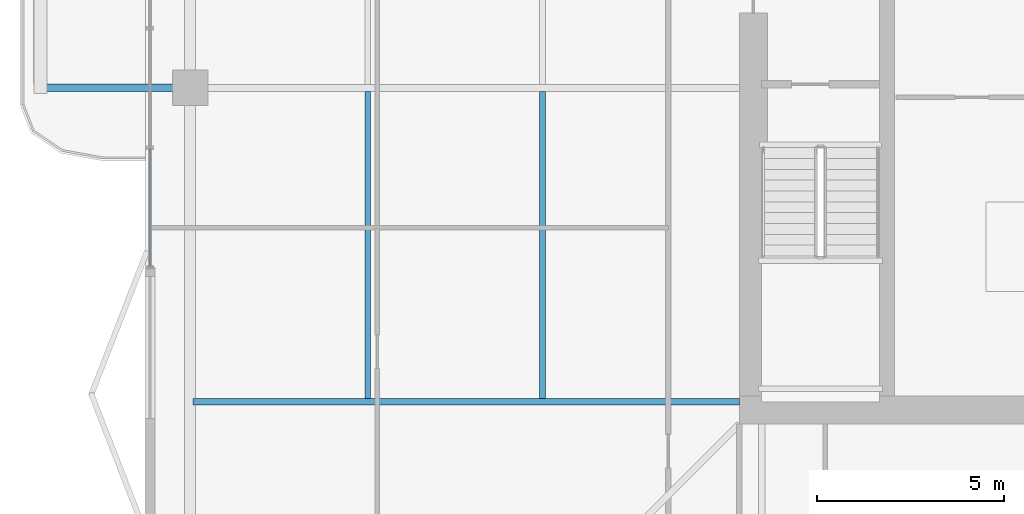
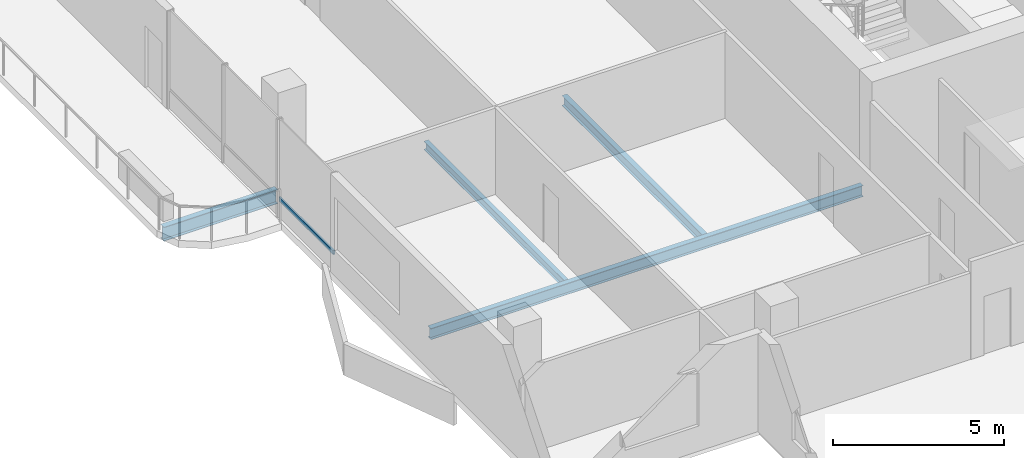
# One storey, part 5 of 25: 4 beams, 1 member, 1 element without a shape of its own.
"""IFC4 building model written with IfcOpenShell, lengths in metres."""

from ifc_helpers import new_model, si_unit, direction, frame, origin, origin_2d, place, context, subcontext, project, spatial, hollow_rectangle, i_section, extrude, material, layer, layer_set, material_profile, profile_set, type_object, element, aggregate, save


model = new_model("IFC4")

# Units and contexts
model_context = context("Model", 3, precision=1e-05, world=origin(), true_north=direction((0.0, 1.0)))
body_context = subcontext(model_context, "Body", "Model", "MODEL_VIEW")
ifc_project = project(units=[si_unit("LENGTHUNIT", "METRE"), si_unit("AREAUNIT", "SQUARE_METRE"), si_unit("VOLUMEUNIT", "CUBIC_METRE"), si_unit("PLANEANGLEUNIT", "RADIAN"), si_unit("MASSUNIT", "GRAM", prefix="KILO")], contexts=[model_context])

# Site, building, storey
site_placement = place(None, origin())
site = spatial("IfcSite", under=ifc_project, at=site_placement, CompositionType="ELEMENT")
building_placement = place(site_placement, origin())
building = spatial("IfcBuilding", under=site, at=building_placement, Name="Belovzor Exchange Tower", CompositionType="ELEMENT")
storey_placement = place(building_placement, frame((0.0, 0.0, 254.10009765625)))
storey = spatial("IfcBuildingStorey", under=building, at=storey_placement, Name="L63", CompositionType="ELEMENT", Elevation=254.10009765625)

# Beams
ifc_material_1 = material(Name="Steel S355", Category="steel")
ifc_material_profile_1 = material_profile(ifc_material_1, i_section(OverallWidth=0.199951171875, OverallDepth=0.5, WebThickness=0.01025390625, FlangeThickness=0.01611328125, at=origin_2d()))
ifc_profile_set_1 = profile_set([ifc_material_profile_1], Name="Steel S355")
beam_type_1 = type_object("IfcBeamType", Name="Planted Balcony Cantilever Beam IPE 500", PredefinedType="BEAM", material=ifc_profile_set_1)
beam_1_placement = place(storey_placement, frame((4.839111328125, 28.800048828125, -0.5), z_axis=(-1.0, 0.0, 0.0), x_axis=(0.0, -1.0, 0.0)))
element("IfcBeam", 1, at=beam_1_placement, inside=storey, type_object=beam_type_1, Name="BC-500 Planted Balcony Cantilever Beam IPE 500", PredefinedType="BEAM", context=body_context, shape_type="SweptSolid", body=[
    extrude(i_section(OverallWidth=0.199951171875, OverallDepth=0.5, WebThickness=0.01025390625, FlangeThickness=0.01611328125, at=origin_2d()), origin(), (0.0, 0.0, 1.0), 3.85009765625),
])
ifc_material_2 = material(Name="Steel S355", Category="steel")
ifc_material_profile_2 = material_profile(ifc_material_2, i_section(OverallWidth=0.169921875, OverallDepth=0.360107421875, WebThickness=0.008056640625, FlangeThickness=0.0126953125, at=origin_2d()))
ifc_profile_set_2 = profile_set([ifc_material_profile_2], Name="Steel S355")
beam_type_2 = type_object("IfcBeamType", Name="Secondary Infill Floor Joist IPE 360", PredefinedType="BEAM", material=ifc_profile_set_2)
beam_2_placement = place(storey_placement, frame((14.534912109375, 20.489990234375, -0.43017578125), z_axis=(0.0, 1.0, 0.0), x_axis=(-1.0, 0.0, 0.0)))
element("IfcBeam", 2, at=beam_2_placement, inside=storey, type_object=beam_type_2, Name="FJ-360 Secondary Infill Floor Joist IPE 360", PredefinedType="BEAM", context=body_context, shape_type="SweptSolid", body=[
    extrude(i_section(OverallWidth=0.169921875, OverallDepth=0.360107421875, WebThickness=0.008056640625, FlangeThickness=0.0126953125, at=origin_2d()), origin(), (0.0, 0.0, 1.0), 8.219970703125),
])
ifc_material_3 = material(Name="Steel S355", Category="steel")
ifc_material_profile_3 = material_profile(ifc_material_3, i_section(OverallWidth=0.14990234375, OverallDepth=0.300048828125, WebThickness=0.007080078125, FlangeThickness=0.0107421875, at=origin_2d()))
ifc_profile_set_3 = profile_set([ifc_material_profile_3], Name="Steel S355")
beam_type_3 = type_object("IfcBeamType", Name="Secondary Trim Floor Joist IPE 300", PredefinedType="BEAM", material=ifc_profile_set_3)
beam_3_placement = place(storey_placement, frame((9.85498046875, 20.489990234375, -0.400146484375), z_axis=(0.0, 1.0, 0.0), x_axis=(-1.0, 0.0, 0.0)))
element("IfcBeam", 3, at=beam_3_placement, inside=storey, type_object=beam_type_3, Name="FJ-300 Secondary Trim Floor Joist IPE 300", PredefinedType="BEAM", context=body_context, shape_type="SweptSolid", body=[
    extrude(i_section(OverallWidth=0.14990234375, OverallDepth=0.300048828125, WebThickness=0.007080078125, FlangeThickness=0.0107421875, at=origin_2d()), origin(), (0.0, 0.0, 1.0), 8.219970703125),
])

# Curtain wall, member
ifc_material_4 = material(Name="Anodised Aluminium Framing", Category="aluminium")
ifc_layer = layer(ifc_material_4, 0.179931640625)
ifc_layer_set = layer_set([ifc_layer], Name="Anodised Aluminium Framing")
curtain_wall_type = type_object("IfcCurtainWallType", Name="Recessed Loggia Low-Iron Triple-Glazed Curtain Wall", PredefinedType="NOTDEFINED", material=ifc_layer_set)
curtain_wall_placement = place(storey_placement, origin())
curtain_wall = element("IfcCurtainWall", 4, at=curtain_wall_placement, inside=storey, type_object=curtain_wall_type, Name="CW3 Recessed Loggia Low-Iron Triple-Glazed Curtain Wall L63", PredefinedType="NOTDEFINED")
ifc_material_5 = material(Name="Steel S355", Category="steel")
ifc_material_profile_4 = material_profile(ifc_material_5, hollow_rectangle(XDim=0.06005859375, YDim=0.14990234375, WallThickness=0.00390625, at=origin_2d()))
ifc_profile_set_4 = profile_set([ifc_material_profile_4], Name="Steel S355")
member_type = type_object("IfcMemberType", Name="Thermally Broken Curtain Wall Transom 150x60", PredefinedType="USERDEFINED", material=ifc_profile_set_4)
member_placement = place(storey_placement, frame((4.030029296875, 24.008056640625, 0.6298828125), z_axis=(0.0, 1.0, 0.0), x_axis=(-1.0, 0.0, 0.0)))
member = element("IfcMember", 5, at=member_placement, type_object=member_type, Name="CW-T150 Curtain Wall Transom 1", ObjectType="TRANSOM", PredefinedType="USERDEFINED", context=body_context, shape_type="SweptSolid", body=[
    extrude(hollow_rectangle(XDim=0.06005859375, YDim=0.14990234375, WallThickness=0.00390625, at=origin_2d()), origin(), (0.0, 0.0, 1.0), 3.183837890625),
])
aggregate(curtain_wall, [member])

# Beam
ifc_material_6 = material(Name="Steel S355", Category="steel")
ifc_material_profile_5 = material_profile(ifc_material_6, i_section(OverallWidth=0.179931640625, OverallDepth=0.39990234375, WebThickness=0.008544921875, FlangeThickness=0.013427734375, at=origin_2d()))
ifc_profile_set_5 = profile_set([ifc_material_profile_5], Name="Steel S355")
beam_type_4 = type_object("IfcBeamType", Name="Zone 5-6 Radial Composite Floor Beam IPE 400", PredefinedType="BEAM", material=ifc_profile_set_5)
beam_4_placement = place(storey_placement, frame((19.800048828125, 20.39990234375, -0.4501953125), z_axis=(-1.0, 0.0, 0.0), x_axis=(0.0, -1.0, 0.0)))
element("IfcBeam", 6, at=beam_4_placement, inside=storey, type_object=beam_type_4, Name="FB-400 Zone 5-6 Radial Composite Floor Beam IPE 400", PredefinedType="BEAM", context=body_context, shape_type="SweptSolid", body=[
    extrude(i_section(OverallWidth=0.179931640625, OverallDepth=0.39990234375, WebThickness=0.008544921875, FlangeThickness=0.013427734375, at=origin_2d()), origin(), (0.0, 0.0, 1.0), 14.625),
])

save(model, "model.ifc")
